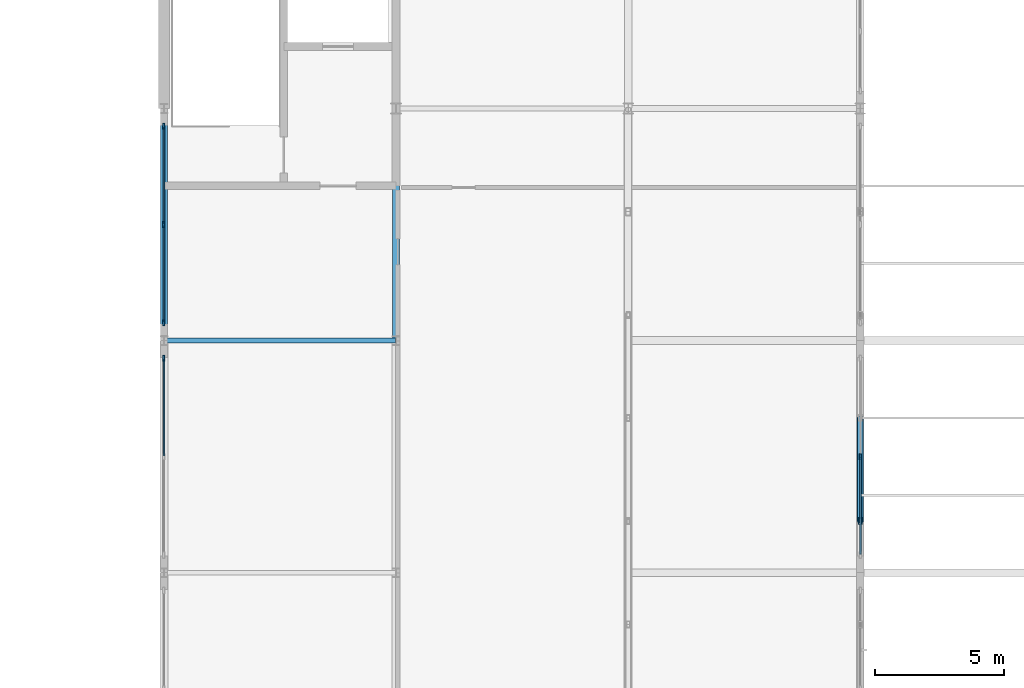
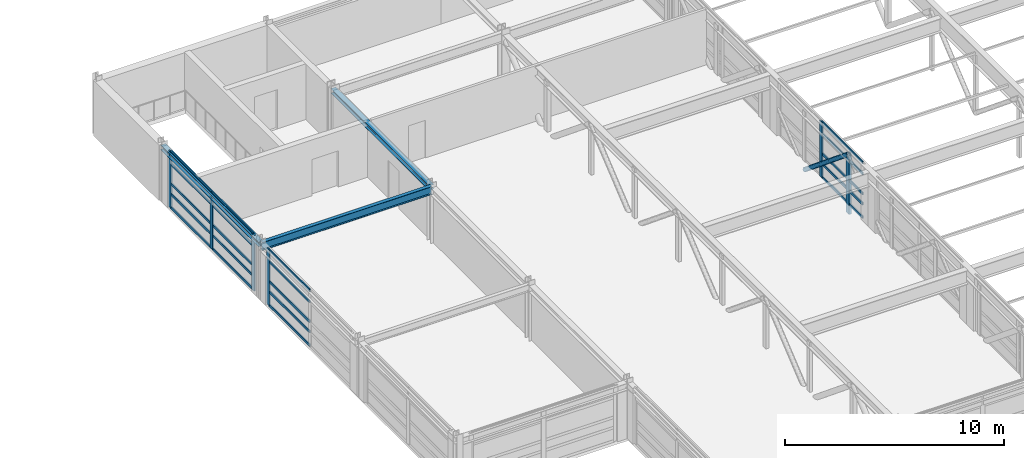
# One storey, part 47 of 91: 27 members, 3 beams, 3 elements without a shape of their own.
"""IFC4 building model written with IfcOpenShell, lengths in metres."""

from ifc_helpers import new_model, si_unit, direction, frame, origin, origin_2d, place, context, subcontext, project, spatial, rectangle, hollow_rectangle, hollow_circle, i_section, extrude, material, material_profile, profile_set, type_object, element, aggregate, save


model = new_model("IFC4")

# Units and contexts
model_context = context("Model", 3, precision=1e-05, world=origin(), true_north=direction((0.0, 1.0)))
body_context = subcontext(model_context, "Body", "Model", "MODEL_VIEW")
ifc_project = project(units=[si_unit("LENGTHUNIT", "METRE"), si_unit("AREAUNIT", "SQUARE_METRE"), si_unit("VOLUMEUNIT", "CUBIC_METRE"), si_unit("PLANEANGLEUNIT", "RADIAN"), si_unit("MASSUNIT", "GRAM", prefix="KILO")], contexts=[model_context])

# Site, building, storey
site_placement = place(None, origin())
site = spatial("IfcSite", under=ifc_project, at=site_placement, CompositionType="ELEMENT")
building_placement = place(site_placement, origin())
building = spatial("IfcBuilding", under=site, at=building_placement, Name="Palais des Congres Ocreval", CompositionType="ELEMENT")
storey_placement = place(building_placement, frame((0.0, 0.0, 8.159912109375)))
storey = spatial("IfcBuildingStorey", under=building, at=storey_placement, Name="L02", CompositionType="ELEMENT", Elevation=8.159912109375)

# Beam
ifc_material_1 = material(Name="Steel S355", Category="steel")
ifc_material_profile_1 = material_profile(ifc_material_1, i_section(OverallWidth=0.18994140625, OverallDepth=0.449951171875, WebThickness=0.009521484375, FlangeThickness=0.0146484375, at=origin_2d()), Name="IPE 450")
ifc_profile_set_1 = profile_set([ifc_material_profile_1], Name="Steel S355")
beam_type_1 = type_object("IfcBeamType", Name="Composite Beam IPE 450 Steel S355", PredefinedType="BEAM", material=ifc_profile_set_1)
beam_placement = place(storey_placement, frame((99.02001953125, 99.0, 2.875), z_axis=(1.0, 0.0, 0.0), x_axis=(0.0, 1.0, 0.0)))
element("IfcBeam", 1, at=beam_placement, inside=storey, type_object=beam_type_1, Name="Beam B03 L02", PredefinedType="BEAM", context=body_context, shape_type="SweptSolid", body=[
    extrude(i_section(OverallWidth=0.18994140625, OverallDepth=0.449951171875, WebThickness=0.009521484375, FlangeThickness=0.0146484375, at=origin_2d()), origin(), (0.0, 0.0, 1.0), 8.9599609375),
])

# Curtain wall, member
ifc_material_2 = material(Name="Anodized bronze aluminium and low-E glass", Category="glass")
curtain_wall_type = type_object("IfcCurtainWallType", Name="Unitised Curtain Wall 7900x3120", PredefinedType="USERDEFINED", material=ifc_material_2)
curtain_wall_1_placement = place(storey_placement, origin())
curtain_wall_1 = element("IfcCurtainWall", 2, at=curtain_wall_1_placement, inside=storey, type_object=curtain_wall_type, Name="Unitised Curtain Wall CW03 L02", ObjectType="UNITISED CURTAIN WALL", PredefinedType="USERDEFINED")
ifc_material_3 = material(Name="Anodized bronze aluminium", Category="aluminium")
ifc_material_profile_2 = material_profile(ifc_material_3, rectangle(XDim=0.074951171875, YDim=0.239990234375, at=origin_2d()), Name="ALU 75x240")
ifc_profile_set_2 = profile_set([ifc_material_profile_2], Name="Anodized bronze aluminium")
member_type_1 = type_object("IfcMemberType", Name="Curtain Wall Mullion ALU 75x240", PredefinedType="MULLION", material=ifc_profile_set_2)
member_1_placement = place(storey_placement, frame((99.0, 98.3125, 0.0), z_axis=(0.0, 0.0, 1.0), x_axis=(-1.0, 0.0, 0.0)))
member_1 = element("IfcMember", 3, at=member_1_placement, type_object=member_type_1, Name="Curtain Wall Mullion ML01", PredefinedType="MULLION", context=body_context, shape_type="SweptSolid", body=[
    extrude(rectangle(XDim=0.074951171875, YDim=0.239990234375, at=origin_2d()), origin(), (0.0, 0.0, 1.0), 3.110107421875),
])

# Curtain wall, members
curtain_wall_2_placement = place(storey_placement, origin())
curtain_wall_2 = element("IfcCurtainWall", 4, at=curtain_wall_2_placement, inside=storey, type_object=curtain_wall_type, Name="Unitised Curtain Wall CW03 L02", ObjectType="UNITISED CURTAIN WALL", PredefinedType="USERDEFINED")
member_2_placement = place(storey_placement, frame((99.0, 99.6875, 0.0), z_axis=(0.0, 0.0, 1.0), x_axis=(-1.0, 0.0, 0.0)))
member_2 = element("IfcMember", 5, at=member_2_placement, type_object=member_type_1, Name="Curtain Wall Mullion ML01", PredefinedType="MULLION", context=body_context, shape_type="SweptSolid", body=[
    extrude(rectangle(XDim=0.074951171875, YDim=0.239990234375, at=origin_2d()), origin(), (0.0, 0.0, 1.0), 3.110107421875),
])
member_3_placement = place(storey_placement, frame((99.0, 103.5, 0.0), z_axis=(0.0, 0.0, 1.0), x_axis=(-1.0, 0.0, 0.0)))
member_3 = element("IfcMember", 6, at=member_3_placement, type_object=member_type_1, Name="Curtain Wall Mullion ML01", PredefinedType="MULLION", context=body_context, shape_type="SweptSolid", body=[
    extrude(rectangle(XDim=0.074951171875, YDim=0.239990234375, at=origin_2d()), origin(), (0.0, 0.0, 1.0), 3.110107421875),
])
member_4_placement = place(storey_placement, frame((99.0, 107.3125, 0.0), z_axis=(0.0, 0.0, 1.0), x_axis=(-1.0, 0.0, 0.0)))
member_4 = element("IfcMember", 7, at=member_4_placement, type_object=member_type_1, Name="Curtain Wall Mullion ML01", PredefinedType="MULLION", context=body_context, shape_type="SweptSolid", body=[
    extrude(rectangle(XDim=0.074951171875, YDim=0.239990234375, at=origin_2d()), origin(), (0.0, 0.0, 1.0), 3.110107421875),
])

# Curtain wall, member
curtain_wall_3_placement = place(storey_placement, origin())
curtain_wall_3 = element("IfcCurtainWall", 8, at=curtain_wall_3_placement, inside=storey, type_object=curtain_wall_type, Name="Unitised Curtain Wall CW03 L02", ObjectType="UNITISED CURTAIN WALL", PredefinedType="USERDEFINED")
member_5_placement = place(storey_placement, frame((126.0, 94.5, 0.0), z_axis=(0.0, 0.0, 1.0), x_axis=(1.0, 0.0, 0.0)))
member_5 = element("IfcMember", 9, at=member_5_placement, type_object=member_type_1, Name="Curtain Wall Mullion ML01", PredefinedType="MULLION", context=body_context, shape_type="SweptSolid", body=[
    extrude(rectangle(XDim=0.074951171875, YDim=0.239990234375, at=origin_2d()), origin(), (0.0, 0.0, 1.0), 3.110107421875),
])

# Member
ifc_material_profile_3 = material_profile(ifc_material_3, rectangle(XDim=0.06005859375, YDim=0.14990234375, at=origin_2d()), Name="ALU 60x150")
ifc_profile_set_3 = profile_set([ifc_material_profile_3], Name="Anodized bronze aluminium")
member_type_2 = type_object("IfcMemberType", Name="Curtain Wall Transom ALU 60x150", PredefinedType="USERDEFINED", material=ifc_profile_set_3)
member_6_placement = place(storey_placement, frame((99.0, 94.53759765625, 0.030029296875), z_axis=(0.0, 1.0, 0.0), x_axis=(-1.0, 0.0, 0.0)))
member_6 = element("IfcMember", 10, at=member_6_placement, type_object=member_type_2, Name="Curtain Wall Transom TR01", ObjectType="TRANSOM", PredefinedType="USERDEFINED", context=body_context, shape_type="SweptSolid", body=[
    extrude(rectangle(XDim=0.06005859375, YDim=0.14990234375, at=origin_2d()), origin(), (0.0, 0.0, 1.0), 3.7373046875),
])

member_7_placement = place(storey_placement, frame((99.0, 94.53759765625, 0.780029296875), z_axis=(0.0, 1.0, 0.0), x_axis=(-1.0, 0.0, 0.0)))
member_7 = element("IfcMember", 11, at=member_7_placement, type_object=member_type_2, Name="Curtain Wall Transom TR01", ObjectType="TRANSOM", PredefinedType="USERDEFINED", context=body_context, shape_type="SweptSolid", body=[
    extrude(rectangle(XDim=0.06005859375, YDim=0.14990234375, at=origin_2d()), origin(), (0.0, 0.0, 1.0), 3.7373046875),
])

member_8_placement = place(storey_placement, frame((99.0, 94.53759765625, 1.35302734375), z_axis=(0.0, 1.0, 0.0), x_axis=(-1.0, 0.0, 0.0)))
member_8 = element("IfcMember", 12, at=member_8_placement, type_object=member_type_2, Name="Curtain Wall Transom TR01", ObjectType="TRANSOM", PredefinedType="USERDEFINED", context=body_context, shape_type="SweptSolid", body=[
    extrude(rectangle(XDim=0.06005859375, YDim=0.14990234375, at=origin_2d()), origin(), (0.0, 0.0, 1.0), 3.7373046875),
])

member_9_placement = place(storey_placement, frame((99.0, 94.53759765625, 2.460205078125), z_axis=(0.0, 1.0, 0.0), x_axis=(-1.0, 0.0, 0.0)))
member_9 = element("IfcMember", 13, at=member_9_placement, type_object=member_type_2, Name="Curtain Wall Transom TR01", ObjectType="TRANSOM", PredefinedType="USERDEFINED", context=body_context, shape_type="SweptSolid", body=[
    extrude(rectangle(XDim=0.06005859375, YDim=0.14990234375, at=origin_2d()), origin(), (0.0, 0.0, 1.0), 3.7373046875),
])

member_10_placement = place(storey_placement, frame((99.0, 94.53759765625, 3.080078125), z_axis=(0.0, 1.0, 0.0), x_axis=(-1.0, 0.0, 0.0)))
member_10 = element("IfcMember", 14, at=member_10_placement, type_object=member_type_2, Name="Curtain Wall Transom TR01", ObjectType="TRANSOM", PredefinedType="USERDEFINED", context=body_context, shape_type="SweptSolid", body=[
    extrude(rectangle(XDim=0.06005859375, YDim=0.14990234375, at=origin_2d()), origin(), (0.0, 0.0, 1.0), 3.7373046875),
])

aggregate(curtain_wall_1, [member_1, member_6, member_7, member_8, member_9, member_10])

member_11_placement = place(storey_placement, frame((99.0, 99.72509765625, 0.030029296875), z_axis=(0.0, 1.0, 0.0), x_axis=(-1.0, 0.0, 0.0)))
member_11 = element("IfcMember", 15, at=member_11_placement, type_object=member_type_2, Name="Curtain Wall Transom TR01", ObjectType="TRANSOM", PredefinedType="USERDEFINED", context=body_context, shape_type="SweptSolid", body=[
    extrude(rectangle(XDim=0.06005859375, YDim=0.14990234375, at=origin_2d()), origin(), (0.0, 0.0, 1.0), 3.7373046875),
])

member_12_placement = place(storey_placement, frame((99.0, 99.72509765625, 0.780029296875), z_axis=(0.0, 1.0, 0.0), x_axis=(-1.0, 0.0, 0.0)))
member_12 = element("IfcMember", 16, at=member_12_placement, type_object=member_type_2, Name="Curtain Wall Transom TR01", ObjectType="TRANSOM", PredefinedType="USERDEFINED", context=body_context, shape_type="SweptSolid", body=[
    extrude(rectangle(XDim=0.06005859375, YDim=0.14990234375, at=origin_2d()), origin(), (0.0, 0.0, 1.0), 3.7373046875),
])

member_13_placement = place(storey_placement, frame((99.0, 99.72509765625, 1.35302734375), z_axis=(0.0, 1.0, 0.0), x_axis=(-1.0, 0.0, 0.0)))
member_13 = element("IfcMember", 17, at=member_13_placement, type_object=member_type_2, Name="Curtain Wall Transom TR01", ObjectType="TRANSOM", PredefinedType="USERDEFINED", context=body_context, shape_type="SweptSolid", body=[
    extrude(rectangle(XDim=0.06005859375, YDim=0.14990234375, at=origin_2d()), origin(), (0.0, 0.0, 1.0), 3.7373046875),
])

member_14_placement = place(storey_placement, frame((99.0, 99.72509765625, 2.460205078125), z_axis=(0.0, 1.0, 0.0), x_axis=(-1.0, 0.0, 0.0)))
member_14 = element("IfcMember", 18, at=member_14_placement, type_object=member_type_2, Name="Curtain Wall Transom TR01", ObjectType="TRANSOM", PredefinedType="USERDEFINED", context=body_context, shape_type="SweptSolid", body=[
    extrude(rectangle(XDim=0.06005859375, YDim=0.14990234375, at=origin_2d()), origin(), (0.0, 0.0, 1.0), 3.7373046875),
])

member_15_placement = place(storey_placement, frame((99.0, 99.72509765625, 3.080078125), z_axis=(0.0, 1.0, 0.0), x_axis=(-1.0, 0.0, 0.0)))
member_15 = element("IfcMember", 19, at=member_15_placement, type_object=member_type_2, Name="Curtain Wall Transom TR01", ObjectType="TRANSOM", PredefinedType="USERDEFINED", context=body_context, shape_type="SweptSolid", body=[
    extrude(rectangle(XDim=0.06005859375, YDim=0.14990234375, at=origin_2d()), origin(), (0.0, 0.0, 1.0), 3.7373046875),
])

member_16_placement = place(storey_placement, frame((99.0, 103.53759765625, 0.030029296875), z_axis=(0.0, 1.0, 0.0), x_axis=(-1.0, 0.0, 0.0)))
member_16 = element("IfcMember", 20, at=member_16_placement, type_object=member_type_2, Name="Curtain Wall Transom TR01", ObjectType="TRANSOM", PredefinedType="USERDEFINED", context=body_context, shape_type="SweptSolid", body=[
    extrude(rectangle(XDim=0.06005859375, YDim=0.14990234375, at=origin_2d()), origin(), (0.0, 0.0, 1.0), 3.7373046875),
])

member_17_placement = place(storey_placement, frame((99.0, 103.53759765625, 0.780029296875), z_axis=(0.0, 1.0, 0.0), x_axis=(-1.0, 0.0, 0.0)))
member_17 = element("IfcMember", 21, at=member_17_placement, type_object=member_type_2, Name="Curtain Wall Transom TR01", ObjectType="TRANSOM", PredefinedType="USERDEFINED", context=body_context, shape_type="SweptSolid", body=[
    extrude(rectangle(XDim=0.06005859375, YDim=0.14990234375, at=origin_2d()), origin(), (0.0, 0.0, 1.0), 3.7373046875),
])

member_18_placement = place(storey_placement, frame((99.0, 103.53759765625, 1.35302734375), z_axis=(0.0, 1.0, 0.0), x_axis=(-1.0, 0.0, 0.0)))
member_18 = element("IfcMember", 22, at=member_18_placement, type_object=member_type_2, Name="Curtain Wall Transom TR01", ObjectType="TRANSOM", PredefinedType="USERDEFINED", context=body_context, shape_type="SweptSolid", body=[
    extrude(rectangle(XDim=0.06005859375, YDim=0.14990234375, at=origin_2d()), origin(), (0.0, 0.0, 1.0), 3.7373046875),
])

member_19_placement = place(storey_placement, frame((99.0, 103.53759765625, 2.460205078125), z_axis=(0.0, 1.0, 0.0), x_axis=(-1.0, 0.0, 0.0)))
member_19 = element("IfcMember", 23, at=member_19_placement, type_object=member_type_2, Name="Curtain Wall Transom TR01", ObjectType="TRANSOM", PredefinedType="USERDEFINED", context=body_context, shape_type="SweptSolid", body=[
    extrude(rectangle(XDim=0.06005859375, YDim=0.14990234375, at=origin_2d()), origin(), (0.0, 0.0, 1.0), 3.7373046875),
])

member_20_placement = place(storey_placement, frame((99.0, 103.53759765625, 3.080078125), z_axis=(0.0, 1.0, 0.0), x_axis=(-1.0, 0.0, 0.0)))
member_20 = element("IfcMember", 24, at=member_20_placement, type_object=member_type_2, Name="Curtain Wall Transom TR01", ObjectType="TRANSOM", PredefinedType="USERDEFINED", context=body_context, shape_type="SweptSolid", body=[
    extrude(rectangle(XDim=0.06005859375, YDim=0.14990234375, at=origin_2d()), origin(), (0.0, 0.0, 1.0), 3.7373046875),
])

aggregate(curtain_wall_2, [member_2, member_3, member_4, member_11, member_12, member_13, member_14, member_15, member_16, member_17, member_18, member_19, member_20])

member_21_placement = place(storey_placement, frame((126.0, 94.46240234375, 0.030029296875), z_axis=(0.0, -1.0, 0.0), x_axis=(1.0, 0.0, 0.0)))
member_21 = element("IfcMember", 25, at=member_21_placement, type_object=member_type_2, Name="Curtain Wall Transom TR01", ObjectType="TRANSOM", PredefinedType="USERDEFINED", context=body_context, shape_type="SweptSolid", body=[
    extrude(rectangle(XDim=0.06005859375, YDim=0.14990234375, at=origin_2d()), origin(), (0.0, 0.0, 1.0), 3.7373046875),
])

member_22_placement = place(storey_placement, frame((126.0, 94.46240234375, 0.780029296875), z_axis=(0.0, -1.0, 0.0), x_axis=(1.0, 0.0, 0.0)))
member_22 = element("IfcMember", 26, at=member_22_placement, type_object=member_type_2, Name="Curtain Wall Transom TR01", ObjectType="TRANSOM", PredefinedType="USERDEFINED", context=body_context, shape_type="SweptSolid", body=[
    extrude(rectangle(XDim=0.06005859375, YDim=0.14990234375, at=origin_2d()), origin(), (0.0, 0.0, 1.0), 3.7373046875),
])

member_23_placement = place(storey_placement, frame((126.0, 94.46240234375, 1.35302734375), z_axis=(0.0, -1.0, 0.0), x_axis=(1.0, 0.0, 0.0)))
member_23 = element("IfcMember", 27, at=member_23_placement, type_object=member_type_2, Name="Curtain Wall Transom TR01", ObjectType="TRANSOM", PredefinedType="USERDEFINED", context=body_context, shape_type="SweptSolid", body=[
    extrude(rectangle(XDim=0.06005859375, YDim=0.14990234375, at=origin_2d()), origin(), (0.0, 0.0, 1.0), 3.7373046875),
])

member_24_placement = place(storey_placement, frame((126.0, 94.46240234375, 2.460205078125), z_axis=(0.0, -1.0, 0.0), x_axis=(1.0, 0.0, 0.0)))
member_24 = element("IfcMember", 28, at=member_24_placement, type_object=member_type_2, Name="Curtain Wall Transom TR01", ObjectType="TRANSOM", PredefinedType="USERDEFINED", context=body_context, shape_type="SweptSolid", body=[
    extrude(rectangle(XDim=0.06005859375, YDim=0.14990234375, at=origin_2d()), origin(), (0.0, 0.0, 1.0), 3.7373046875),
])

member_25_placement = place(storey_placement, frame((126.0, 94.46240234375, 3.080078125), z_axis=(0.0, -1.0, 0.0), x_axis=(1.0, 0.0, 0.0)))
member_25 = element("IfcMember", 29, at=member_25_placement, type_object=member_type_2, Name="Curtain Wall Transom TR01", ObjectType="TRANSOM", PredefinedType="USERDEFINED", context=body_context, shape_type="SweptSolid", body=[
    extrude(rectangle(XDim=0.06005859375, YDim=0.14990234375, at=origin_2d()), origin(), (0.0, 0.0, 1.0), 3.7373046875),
])

aggregate(curtain_wall_3, [member_5, member_21, member_22, member_23, member_24, member_25])

ifc_material_profile_4 = material_profile(ifc_material_1, hollow_circle(Radius=0.122314453125, WallThickness=0.012451171875, at=origin_2d()), Name="CHS 244.5x12.5")
ifc_profile_set_4 = profile_set([ifc_material_profile_4], Name="Steel S355")
member_type_3 = type_object("IfcMemberType", Name="Diagonal Brace CHS 244.5x12.5 Steel S355", PredefinedType="BRACE", material=ifc_profile_set_4)
member_26_placement = place(storey_placement, frame((126.0, 92.0, 2.7900390625), z_axis=(0.0, 0.772316531173, -0.635237889044), x_axis=(-1.0, 0.0, 0.0)))
element("IfcMember", 30, at=member_26_placement, inside=storey, type_object=member_type_3, Name="Transfer Truss Web Diagonal V2-126-6", PredefinedType="BRACE", context=body_context, shape_type="SweptSolid", body=[
    extrude(hollow_circle(Radius=0.122314453125, WallThickness=0.012451171875, at=origin_2d()), origin(), (0.0, 0.0, 1.0), 5.17919921875),
])

# Beams
ifc_material_profile_5 = material_profile(ifc_material_1, i_section(OverallWidth=0.260009765625, OverallDepth=0.260009765625, WebThickness=0.010009765625, FlangeThickness=0.017578125, at=origin_2d()), Name="HEB 260")
ifc_profile_set_5 = profile_set([ifc_material_profile_5], Name="Steel S355")
beam_type_2 = type_object("IfcBeamType", Name="Opening Lintel HEB 260 Steel S355", PredefinedType="LINTEL", material=ifc_profile_set_5)
for number, where, z_axis, x_axis, name in (
    (31, (99.0, 99.02001953125, 2.969970703125), (0.0, 1.0, 0.0), (-1.0, 0.0, 0.0), "Girder LN01 L02"),
    (32, (108.0, 99.02001953125, 2.969970703125), (0.0, 1.0, 0.0), (-1.0, 0.0, 0.0), "Girder LN01 L02"),
):
    element("IfcBeam", number, at=place(storey_placement, frame(where, z_axis=z_axis, x_axis=x_axis)), inside=storey, type_object=beam_type_2, Name=name, PredefinedType="LINTEL", context=body_context, shape_type="SweptSolid", body=[
        extrude(i_section(OverallWidth=0.260009765625, OverallDepth=0.260009765625, WebThickness=0.010009765625, FlangeThickness=0.017578125, at=origin_2d()), origin(), (0.0, 0.0, 1.0), 8.9599609375),
    ])

# Member
ifc_material_profile_6 = material_profile(ifc_material_1, hollow_rectangle(XDim=0.14990234375, YDim=0.25, WallThickness=0.012451171875, at=origin_2d()), Name="RHS 250x150x12.5")
ifc_profile_set_6 = profile_set([ifc_material_profile_6], Name="Steel S355")
member_type_4 = type_object("IfcMemberType", Name="Truss Strut RHS 250x150x12.5 Steel S355", PredefinedType="STRUT", material=ifc_profile_set_6)
member_27_placement = place(storey_placement, frame((126.0, 92.0, -0.5), z_axis=(0.0, 0.0, 1.0), x_axis=(1.0, 0.0, 0.0)))
element("IfcMember", 33, at=member_27_placement, inside=storey, type_object=member_type_4, Name="Transfer Truss Vertical Post V2-126-5", PredefinedType="STRUT", context=body_context, shape_type="SweptSolid", body=[
    extrude(hollow_rectangle(XDim=0.14990234375, YDim=0.25, WallThickness=0.012451171875, at=origin_2d()), origin(), (0.0, 0.0, 1.0), 3.2900390625),
])

save(model, "model.ifc")
